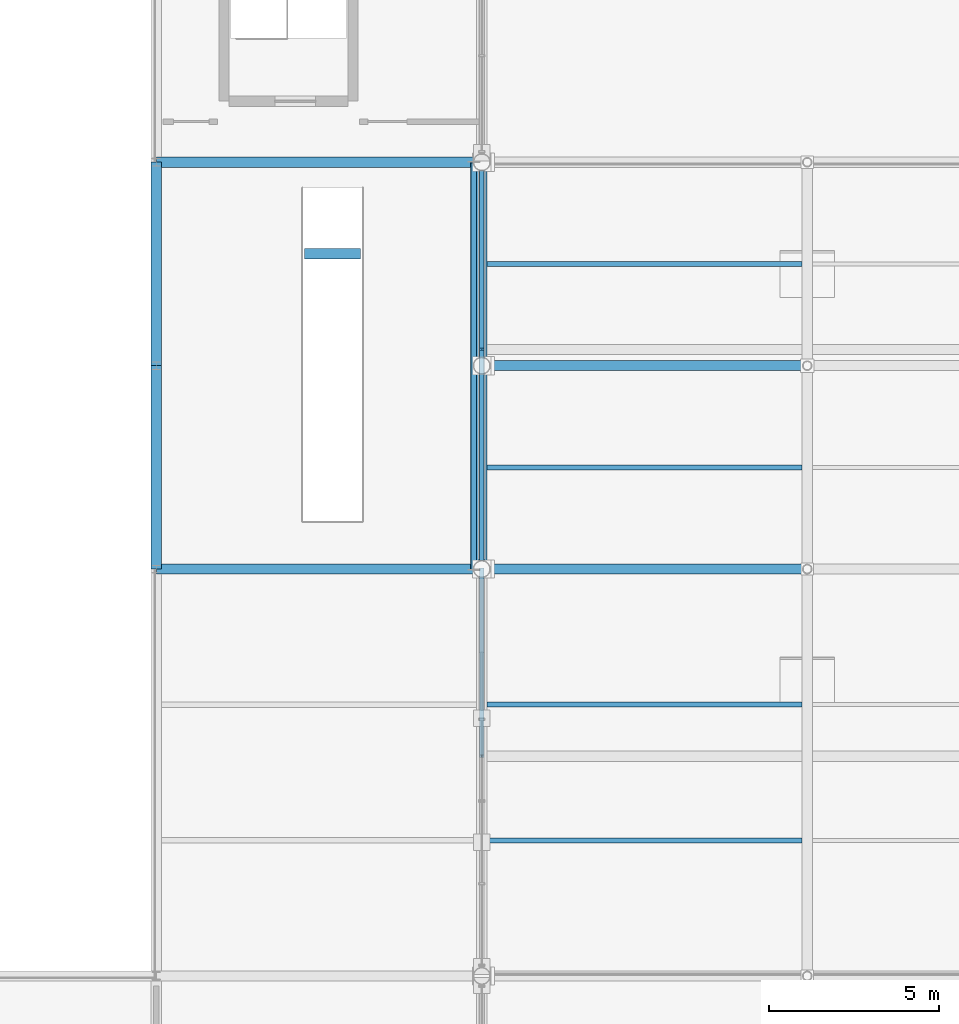
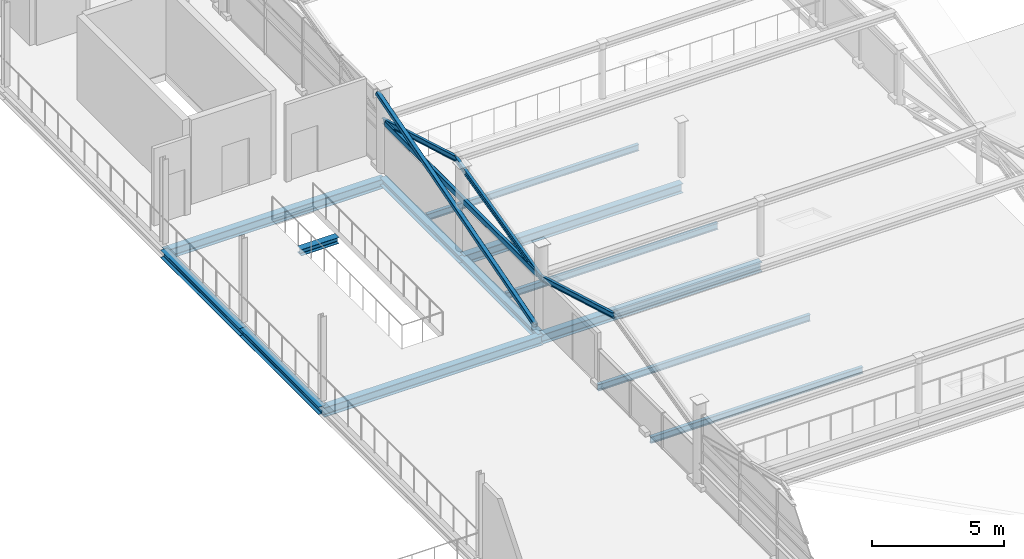
# One storey, part 37 of 117: 14 beams, 4 members.
"""IFC4 building model written with IfcOpenShell, lengths in metres."""

from ifc_helpers import new_model, si_unit, direction, frame, origin, origin_2d, place, context, subcontext, project, spatial, hollow_rectangle, i_section, extrude, material, material_profile, profile_set, type_object, element, save


model = new_model("IFC4")

# Units and contexts
model_context = context("Model", 3, precision=1e-05, world=origin(), true_north=direction((0.0, 1.0)))
body_context = subcontext(model_context, "Body", "Model", "MODEL_VIEW")
ifc_project = project(units=[si_unit("LENGTHUNIT", "METRE"), si_unit("AREAUNIT", "SQUARE_METRE"), si_unit("VOLUMEUNIT", "CUBIC_METRE"), si_unit("PLANEANGLEUNIT", "RADIAN"), si_unit("MASSUNIT", "GRAM", prefix="KILO")], contexts=[model_context])

# Site, building, storey
site_placement = place(None, origin())
site = spatial("IfcSite", under=ifc_project, at=site_placement, CompositionType="ELEMENT")
building_placement = place(site_placement, origin())
building = spatial("IfcBuilding", under=site, at=building_placement, Name="Merenkruunu Market Hall", CompositionType="ELEMENT")
storey_placement = place(building_placement, frame((0.0, 0.0, 10.199951171875)))
storey = spatial("IfcBuildingStorey", under=building, at=storey_placement, Name="L02", CompositionType="ELEMENT", Elevation=10.199951171875)

# Member
ifc_material_1 = material(Name="Steel S355J2", Category="steel")
ifc_material_profile_1 = material_profile(ifc_material_1, hollow_rectangle(XDim=0.179931640625, YDim=0.179931640625, WallThickness=0.010009765625, InnerFilletRadius=0.010009765625, OuterFilletRadius=0.02001953125, at=origin_2d()), Name="SHS 180x180x10")
ifc_profile_set_1 = profile_set([ifc_material_profile_1], Name="Steel S355J2")
member_type_1 = type_object("IfcMemberType", Name="Diagonal Sway Brace BR05", PredefinedType="BRACE", material=ifc_profile_set_1)
member_1_placement = place(storey_placement, frame((57.360107421875, 39.60009765625, 0.150146484375), z_axis=(0.0, 0.96, 0.28), x_axis=(-1.0, 0.0, 0.0)))
element("IfcMember", 1, at=member_1_placement, inside=storey, type_object=member_type_1, Name="MEM-CBF12", PredefinedType="BRACE", context=body_context, shape_type="SweptSolid", body=[
    extrude(hollow_rectangle(XDim=0.179931640625, YDim=0.179931640625, WallThickness=0.010009765625, InnerFilletRadius=0.010009765625, OuterFilletRadius=0.02001953125, at=origin_2d()), origin(), (0.0, 0.0, 1.0), 12.5),
])

# Beams
ifc_material_profile_2 = material_profile(ifc_material_1, hollow_rectangle(XDim=0.14990234375, YDim=0.25, WallThickness=0.010009765625, InnerFilletRadius=0.010009765625, OuterFilletRadius=0.02001953125, at=origin_2d()), Name="RHS 250x150x10")
ifc_profile_set_2 = profile_set([ifc_material_profile_2], Name="Steel S355J2")
beam_type_1 = type_object("IfcBeamType", Name="Perimeter Spandrel Beam SP04", PredefinedType="SPANDREL", material=ifc_profile_set_2)
beam_1_placement = place(storey_placement, frame((57.60009765625, 39.85009765625, 2.295166015625), z_axis=(0.0, 1.0, 0.0), x_axis=(-1.0, 0.0, 0.0)))
element("IfcBeam", 2, at=beam_1_placement, inside=storey, type_object=beam_type_1, Name="BM-L02-SP04-1274", PredefinedType="SPANDREL", context=body_context, shape_type="SweptSolid", body=[
    extrude(hollow_rectangle(XDim=0.14990234375, YDim=0.25, WallThickness=0.010009765625, InnerFilletRadius=0.010009765625, OuterFilletRadius=0.02001953125, at=origin_2d()), origin(), (0.0, 0.0, 1.0), 11.5),
])
ifc_material_profile_3 = material_profile(ifc_material_1, i_section(OverallWidth=0.300048828125, OverallDepth=0.43994140625, WebThickness=0.011474609375, FlangeThickness=0.02099609375, FilletRadius=0.027099609375, at=origin_2d()), Name="HEA 450")
ifc_profile_set_3 = profile_set([ifc_material_profile_3], Name="Steel S355J2")
beam_type_2 = type_object("IfcBeamType", Name="Primary Floor Girder B07", PredefinedType="BEAM", material=ifc_profile_set_3)
beam_2_placement = place(storey_placement, frame((48.0, 39.60009765625, -0.530029296875), z_axis=(1.0, 0.0, 0.0), x_axis=(0.0, 1.0, 0.0)))
element("IfcBeam", 3, at=beam_2_placement, inside=storey, type_object=beam_type_2, Name="BM-L02-B07-0762", PredefinedType="BEAM", context=body_context, shape_type="SweptSolid", body=[
    extrude(i_section(OverallWidth=0.300048828125, OverallDepth=0.43994140625, WebThickness=0.011474609375, FlangeThickness=0.02099609375, FilletRadius=0.027099609375, at=origin_2d()), origin(), (0.0, 0.0, 1.0), 9.60009765625),
])
for number, where, z_axis, x_axis, name in (
    (4, (57.60009765625, 39.60009765625, -0.489990234375), (1.0, 0.0, 0.0), (0.0, 1.0, 0.0), "BM-L02-B07-0763"),
    (5, (57.60009765625, 45.60009765625, -0.489990234375), (1.0, 0.0, 0.0), (0.0, 1.0, 0.0), "BM-L02-B07-0769"),
):
    element("IfcBeam", number, at=place(storey_placement, frame(where, z_axis=z_axis, x_axis=x_axis)), inside=storey, type_object=beam_type_2, Name=name, PredefinedType="BEAM", context=body_context, shape_type="SweptSolid", body=[
        extrude(i_section(OverallWidth=0.300048828125, OverallDepth=0.43994140625, WebThickness=0.011474609375, FlangeThickness=0.02099609375, FilletRadius=0.027099609375, at=origin_2d()), origin(), (0.0, 0.0, 1.0), 9.599853515625),
    ])
beam_3_placement = place(storey_placement, frame((48.0, 51.60009765625, -0.530029296875), z_axis=(1.0, 0.0, 0.0), x_axis=(0.0, 1.0, 0.0)))
element("IfcBeam", 6, at=beam_3_placement, inside=storey, type_object=beam_type_2, Name="BM-L02-B07-0771", PredefinedType="BEAM", context=body_context, shape_type="SweptSolid", body=[
    extrude(i_section(OverallWidth=0.300048828125, OverallDepth=0.43994140625, WebThickness=0.011474609375, FlangeThickness=0.02099609375, FilletRadius=0.027099609375, at=origin_2d()), origin(), (0.0, 0.0, 1.0), 9.60009765625),
])
ifc_material_profile_4 = material_profile(ifc_material_1, i_section(OverallWidth=0.300048828125, OverallDepth=0.35009765625, WebThickness=0.010009765625, FlangeThickness=0.017578125, FilletRadius=0.027099609375, at=origin_2d()), Name="HEA 360")
ifc_profile_set_4 = profile_set([ifc_material_profile_4], Name="Steel S355J2")
beam_type_3 = type_object("IfcBeamType", Name="Primary Floor Girder B08", PredefinedType="BEAM", material=ifc_profile_set_4)
for number, where, z_axis, x_axis, name in (
    (7, (48.0, 39.60009765625, -0.48486328125), (0.0, 1.0, 0.0), (-1.0, 0.0, 0.0), "BM-L02-B08-0780"),
    (8, (48.0, 45.60009765625, -0.48486328125), (0.0, 1.0, 0.0), (-1.0, 0.0, 0.0), "BM-L02-B08-0781"),
    (9, (57.60009765625, 39.60009765625, -0.48486328125), (0.0, 1.0, 0.0), (-1.0, 0.0, 0.0), "BM-L02-B08-0786"),
    (10, (57.60009765625, 45.60009765625, -0.48486328125), (0.0, 1.0, 0.0), (-1.0, 0.0, 0.0), "BM-L02-B08-0787"),
):
    element("IfcBeam", number, at=place(storey_placement, frame(where, z_axis=z_axis, x_axis=x_axis)), inside=storey, type_object=beam_type_3, Name=name, PredefinedType="BEAM", context=body_context, shape_type="SweptSolid", body=[
        extrude(i_section(OverallWidth=0.300048828125, OverallDepth=0.35009765625, WebThickness=0.010009765625, FlangeThickness=0.017578125, FilletRadius=0.027099609375, at=origin_2d()), origin(), (0.0, 0.0, 1.0), 6.0),
    ])
ifc_material_profile_5 = material_profile(ifc_material_1, i_section(OverallWidth=0.300048828125, OverallDepth=0.2900390625, WebThickness=0.008544921875, FlangeThickness=0.013916015625, FilletRadius=0.027099609375, at=origin_2d()), Name="HEA 300")
ifc_profile_set_5 = profile_set([ifc_material_profile_5], Name="Steel S355J2")
beam_type_4 = type_object("IfcBeamType", Name="Primary Floor Girder B09", PredefinedType="BEAM", material=ifc_profile_set_5)
beam_4_placement = place(storey_placement, frame((52.3701171875, 48.89990234375, -0.294921875), z_axis=(1.0, 0.0, 0.0), x_axis=(0.0, 1.0, 0.0)))
element("IfcBeam", 11, at=beam_4_placement, inside=storey, type_object=beam_type_4, Name="BM-FST-TRIM-5", PredefinedType="BEAM", context=body_context, shape_type="SweptSolid", body=[
    extrude(i_section(OverallWidth=0.300048828125, OverallDepth=0.2900390625, WebThickness=0.008544921875, FlangeThickness=0.013916015625, FilletRadius=0.027099609375, at=origin_2d()), origin(), (0.0, 0.0, 1.0), 1.659912109375),
])

# Members
ifc_material_2 = material(Name="Steel S355ML", Category="steel")
ifc_material_profile_6 = material_profile(ifc_material_2, i_section(OverallWidth=0.1201171875, OverallDepth=0.239990234375, WebThickness=0.006103515625, FlangeThickness=0.009765625, FilletRadius=0.014892578125, at=origin_2d()), Name="IPE 240")
ifc_profile_set_6 = profile_set([ifc_material_profile_6], Name="Steel S355ML")
member_type_2 = type_object("IfcMemberType", Name="Roof Purlin Rafter PR02", PredefinedType="PURLIN", material=ifc_profile_set_6)
member_2_placement = place(storey_placement, frame((57.60009765625, 34.080078125, 3.880126953125), z_axis=(0.0, 0.960462085918, -0.27841081429), x_axis=(-1.0, 0.0, 0.0)))
element("IfcMember", 12, at=member_2_placement, inside=storey, type_object=member_type_2, Name="MEM-V4-SAWR-006", PredefinedType="PURLIN", context=body_context, shape_type="SweptSolid", body=[
    extrude(i_section(OverallWidth=0.1201171875, OverallDepth=0.239990234375, WebThickness=0.006103515625, FlangeThickness=0.009765625, FilletRadius=0.014892578125, at=origin_2d()), origin(), (0.0, 0.0, 1.0), 5.747314453125),
])
member_3_placement = place(storey_placement, frame((57.60009765625, 39.60009765625, 2.280029296875), z_axis=(0.0, 0.970839870255, 0.239728901727), x_axis=(-1.0, 0.0, 0.0)))
element("IfcMember", 13, at=member_3_placement, inside=storey, type_object=member_type_2, Name="MEM-V4-SAWR-009", PredefinedType="PURLIN", context=body_context, shape_type="SweptSolid", body=[
    extrude(i_section(OverallWidth=0.1201171875, OverallDepth=0.239990234375, WebThickness=0.006103515625, FlangeThickness=0.009765625, FilletRadius=0.014892578125, at=origin_2d()), origin(), (0.0, 0.0, 1.0), 6.674560546875),
])
member_4_placement = place(storey_placement, frame((57.60009765625, 46.080078125, 3.880126953125), z_axis=(0.0, 0.960462085918, -0.27841081429), x_axis=(-1.0, 0.0, 0.0)))
element("IfcMember", 14, at=member_4_placement, inside=storey, type_object=member_type_2, Name="MEM-V4-SAWR-010", PredefinedType="PURLIN", context=body_context, shape_type="SweptSolid", body=[
    extrude(i_section(OverallWidth=0.1201171875, OverallDepth=0.239990234375, WebThickness=0.006103515625, FlangeThickness=0.009765625, FilletRadius=0.014892578125, at=origin_2d()), origin(), (0.0, 0.0, 1.0), 5.747314453125),
])

# Beams
ifc_material_profile_7 = material_profile(ifc_material_1, i_section(OverallWidth=0.14990234375, OverallDepth=0.300048828125, WebThickness=0.007080078125, FlangeThickness=0.0107421875, FilletRadius=0.014892578125, at=origin_2d()), Name="IPE 300")
ifc_profile_set_7 = profile_set([ifc_material_profile_7], Name="Steel S355J2")
beam_type_5 = type_object("IfcBeamType", Name="Secondary Floor Joist J04", PredefinedType="JOIST", material=ifc_profile_set_7)
for number, where, z_axis, x_axis, name in (
    (15, (57.7529296875, 31.60009765625, -0.419921875), (1.0, 0.0, 0.0), (0.0, 1.0, 0.0), "BM-L02-J04-0827"),
    (16, (57.7529296875, 35.60009765625, -0.419921875), (1.0, 0.0, 0.0), (0.0, 1.0, 0.0), "BM-L02-J04-0828"),
    (17, (57.7529296875, 42.60009765625, -0.419921875), (1.0, 0.0, 0.0), (0.0, 1.0, 0.0), "BM-L02-J04-0829"),
    (18, (57.7529296875, 48.60009765625, -0.419921875), (1.0, 0.0, 0.0), (0.0, 1.0, 0.0), "BM-L02-J04-0830"),
):
    element("IfcBeam", number, at=place(storey_placement, frame(where, z_axis=z_axis, x_axis=x_axis)), inside=storey, type_object=beam_type_5, Name=name, PredefinedType="JOIST", context=body_context, shape_type="SweptSolid", body=[
        extrude(i_section(OverallWidth=0.14990234375, OverallDepth=0.300048828125, WebThickness=0.007080078125, FlangeThickness=0.0107421875, FilletRadius=0.014892578125, at=origin_2d()), origin(), (0.0, 0.0, 1.0), 9.294189453125),
    ])

save(model, "model.ifc")
